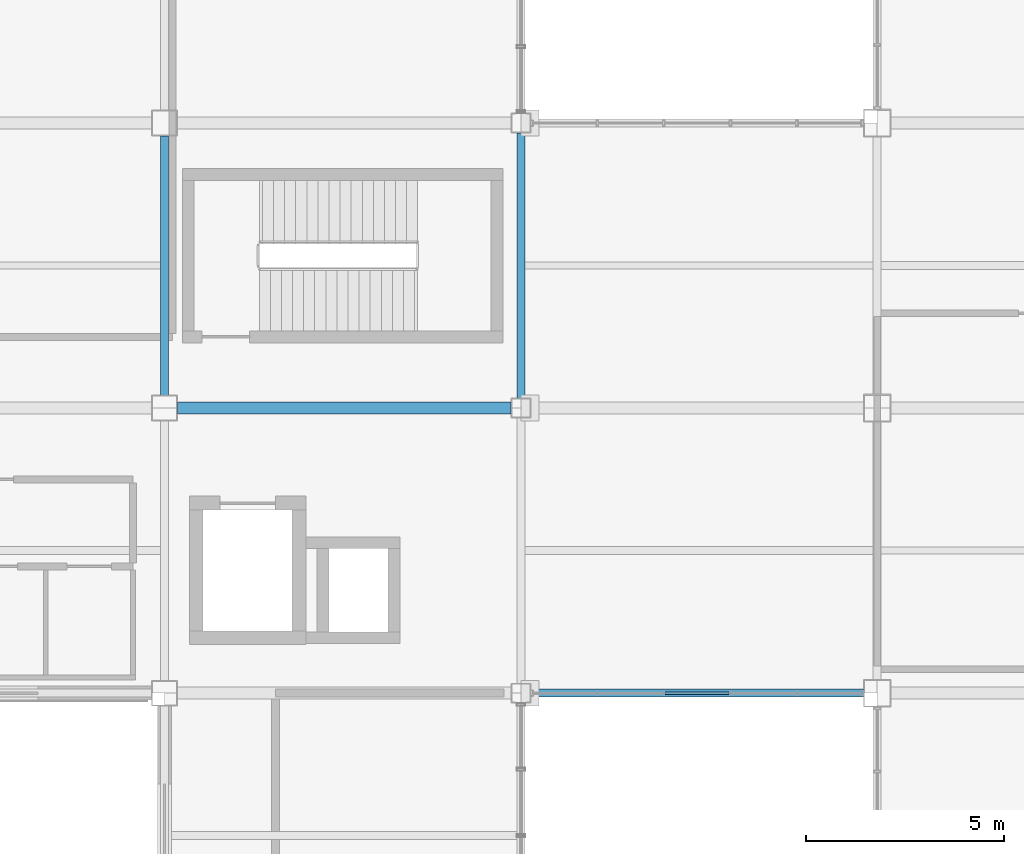
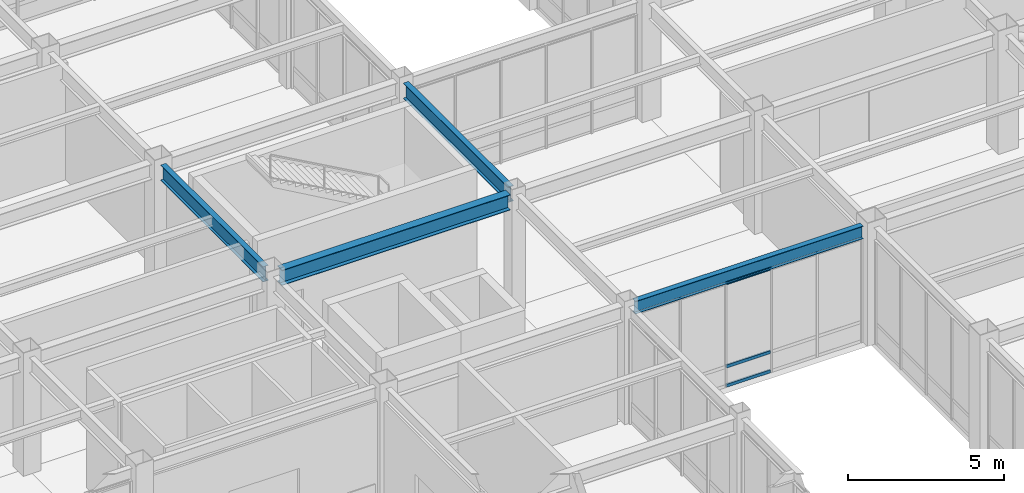
# One storey, part 63 of 112: 4 beams, 3 members, 1 element without a shape of its own.
"""IFC4 building model written with IfcOpenShell, lengths in metres."""

from ifc_helpers import new_model, si_unit, direction, frame, origin, origin_2d, place, context, subcontext, project, spatial, hollow_rectangle, i_section, extrude, material, material_profile, profile_set, type_object, element, aggregate, save


model = new_model("IFC4")

# Units and contexts
model_context = context("Model", 3, precision=1e-05, world=origin(), true_north=direction((0.0, 1.0)))
body_context = subcontext(model_context, "Body", "Model", "MODEL_VIEW")
ifc_project = project(units=[si_unit("LENGTHUNIT", "METRE"), si_unit("AREAUNIT", "SQUARE_METRE"), si_unit("VOLUMEUNIT", "CUBIC_METRE"), si_unit("PLANEANGLEUNIT", "RADIAN"), si_unit("MASSUNIT", "GRAM", prefix="KILO")], contexts=[model_context])

# Site, building, storey
site_placement = place(None, origin())
site = spatial("IfcSite", under=ifc_project, at=site_placement, CompositionType="ELEMENT")
building_placement = place(site_placement, origin())
building = spatial("IfcBuilding", under=site, at=building_placement, Name="Kazanami Central Library", CompositionType="ELEMENT")
storey_placement = place(building_placement, origin())
storey = spatial("IfcBuildingStorey", under=building, at=storey_placement, Name="L01", CompositionType="ELEMENT", Elevation=0.0)

# Beams
ifc_material_1 = material(Name="Steel SN490B (325 MPa)", Category="steel")
ifc_material_profile_1 = material_profile(ifc_material_1, i_section(OverallWidth=0.300048828125, OverallDepth=0.60009765625, WebThickness=0.011962890625, FlangeThickness=0.02001953125, at=origin_2d()), Name="H-600x300x12x20")
ifc_profile_set_1 = profile_set([ifc_material_profile_1], Name="Steel SN490B (325 MPa)")
beam_type_1 = type_object("IfcBeamType", Name="BM-G-X1", PredefinedType="BEAM", material=ifc_profile_set_1)
beam_1_placement = place(storey_placement, frame((99.322998046875, 72.0, 4.2548828125), z_axis=(1.0, 0.0, 0.0), x_axis=(0.0, 1.0, 0.0)))
element("IfcBeam", 1, at=beam_1_placement, inside=storey, type_object=beam_type_1, Name="Girder G-X1 L01 L/12-13", PredefinedType="BEAM", context=body_context, shape_type="SweptSolid", body=[
    extrude(i_section(OverallWidth=0.300048828125, OverallDepth=0.60009765625, WebThickness=0.011962890625, FlangeThickness=0.02001953125, at=origin_2d()), origin(), (0.0, 0.0, 1.0), 8.428955078125),
])
ifc_material_profile_2 = material_profile(ifc_material_1, i_section(OverallWidth=0.199951171875, OverallDepth=0.60009765625, WebThickness=0.010986328125, FlangeThickness=0.01708984375, at=origin_2d()), Name="H-600x200x11x17")
ifc_profile_set_2 = profile_set([ifc_material_profile_2], Name="Steel SN490B (325 MPa)")
beam_type_2 = type_object("IfcBeamType", Name="BM-G-Y1", PredefinedType="BEAM", material=ifc_profile_set_2)
beam_2_placement = place(storey_placement, frame((99.0, 72.322998046875, 4.2548828125), z_axis=(0.0, 1.0, 0.0), x_axis=(-1.0, 0.0, 0.0)))
element("IfcBeam", 2, at=beam_2_placement, inside=storey, type_object=beam_type_2, Name="Girder G-Y1 L01 12/L-M", PredefinedType="BEAM", context=body_context, shape_type="SweptSolid", body=[
    extrude(i_section(OverallWidth=0.199951171875, OverallDepth=0.60009765625, WebThickness=0.010986328125, FlangeThickness=0.01708984375, at=origin_2d()), origin(), (0.0, 0.0, 1.0), 6.553955078125),
])
beam_3_placement = place(storey_placement, frame((108.0, 72.248046875, 4.2548828125), z_axis=(0.0, 1.0, 0.0), x_axis=(-1.0, 0.0, 0.0)))
element("IfcBeam", 3, at=beam_3_placement, inside=storey, type_object=beam_type_2, Name="Girder G-Y1 L01 13/L-M", PredefinedType="BEAM", context=body_context, shape_type="SweptSolid", body=[
    extrude(i_section(OverallWidth=0.199951171875, OverallDepth=0.60009765625, WebThickness=0.010986328125, FlangeThickness=0.01708984375, at=origin_2d()), origin(), (0.0, 0.0, 1.0), 6.703857421875),
])
ifc_material_profile_3 = material_profile(ifc_material_1, i_section(OverallWidth=0.199951171875, OverallDepth=0.5, WebThickness=0.010009765625, FlangeThickness=0.01611328125, at=origin_2d()), Name="H-500x200x10x16")
ifc_profile_set_3 = profile_set([ifc_material_profile_3], Name="Steel SN490B (325 MPa)")
beam_type_3 = type_object("IfcBeamType", Name="BM-SP-1", PredefinedType="SPANDREL", material=ifc_profile_set_3)
beam_4_placement = place(storey_placement, frame((108.248046875, 64.800048828125, 4.304931640625), z_axis=(1.0, 0.0, 0.0), x_axis=(0.0, 1.0, 0.0)))
element("IfcBeam", 4, at=beam_4_placement, inside=storey, type_object=beam_type_3, Name="Covered Link Bridge Girder SP-1 L01 K/13-14", PredefinedType="SPANDREL", context=body_context, shape_type="SweptSolid", body=[
    extrude(i_section(OverallWidth=0.199951171875, OverallDepth=0.5, WebThickness=0.010009765625, FlangeThickness=0.01611328125, at=origin_2d()), origin(), (0.0, 0.0, 1.0), 8.404052734375),
])

# Curtain wall, members
ifc_material_2 = material(Name="Acid-Etched Low-E Laminated Glass", Category="glass")
curtain_wall_type = type_object("IfcCurtainWallType", Name="CW-8400x4055-M180", PredefinedType="USERDEFINED", material=ifc_material_2)
curtain_wall_placement = place(storey_placement, origin())
curtain_wall = element("IfcCurtainWall", 5, at=curtain_wall_placement, inside=storey, type_object=curtain_wall_type, Name="Covered Link Bridge Curtain Wall CW-06 L01 S-K-12", ObjectType="UNITISED CURTAIN WALL", PredefinedType="USERDEFINED")
ifc_material_3 = material(Name="Anodised Aluminium A6063-T5", Category="aluminium")
ifc_material_profile_4 = material_profile(ifc_material_3, hollow_rectangle(XDim=0.06005859375, YDim=0.1201171875, WallThickness=0.00341796875, at=origin_2d()), Name="ALU-TRAN-60x120x3.5")
ifc_profile_set_4 = profile_set([ifc_material_profile_4], Name="Anodised Aluminium A6063-T5")
member_type = type_object("IfcMemberType", Name="MEM-CW-T3", PredefinedType="USERDEFINED", material=ifc_profile_set_4)
member_1_placement = place(storey_placement, frame((111.639892578125, 64.800048828125, 0.030029296875), z_axis=(1.0, 0.0, 0.0), x_axis=(0.0, 1.0, 0.0)))
member_1 = element("IfcMember", 6, at=member_1_placement, type_object=member_type, Name="CW-06 transom 3.1", ObjectType="TRANSOM", PredefinedType="USERDEFINED", context=body_context, shape_type="SweptSolid", body=[
    extrude(hollow_rectangle(XDim=0.06005859375, YDim=0.1201171875, WallThickness=0.00341796875, at=origin_2d()), origin(), (0.0, 0.0, 1.0), 1.6201171875),
])
member_2_placement = place(storey_placement, frame((111.639892578125, 64.800048828125, 0.780029296875), z_axis=(1.0, 0.0, 0.0), x_axis=(0.0, 1.0, 0.0)))
member_2 = element("IfcMember", 7, at=member_2_placement, type_object=member_type, Name="CW-06 transom 3.2", ObjectType="TRANSOM", PredefinedType="USERDEFINED", context=body_context, shape_type="SweptSolid", body=[
    extrude(hollow_rectangle(XDim=0.06005859375, YDim=0.1201171875, WallThickness=0.00341796875, at=origin_2d()), origin(), (0.0, 0.0, 1.0), 1.6201171875),
])
member_3_placement = place(storey_placement, frame((111.639892578125, 64.800048828125, 4.02490234375), z_axis=(1.0, 0.0, 0.0), x_axis=(0.0, 1.0, 0.0)))
member_3 = element("IfcMember", 8, at=member_3_placement, type_object=member_type, Name="CW-06 transom 3.3", ObjectType="TRANSOM", PredefinedType="USERDEFINED", context=body_context, shape_type="SweptSolid", body=[
    extrude(hollow_rectangle(XDim=0.06005859375, YDim=0.1201171875, WallThickness=0.00341796875, at=origin_2d()), origin(), (0.0, 0.0, 1.0), 1.6201171875),
])
aggregate(curtain_wall, [member_1, member_2, member_3])

save(model, "model.ifc")
